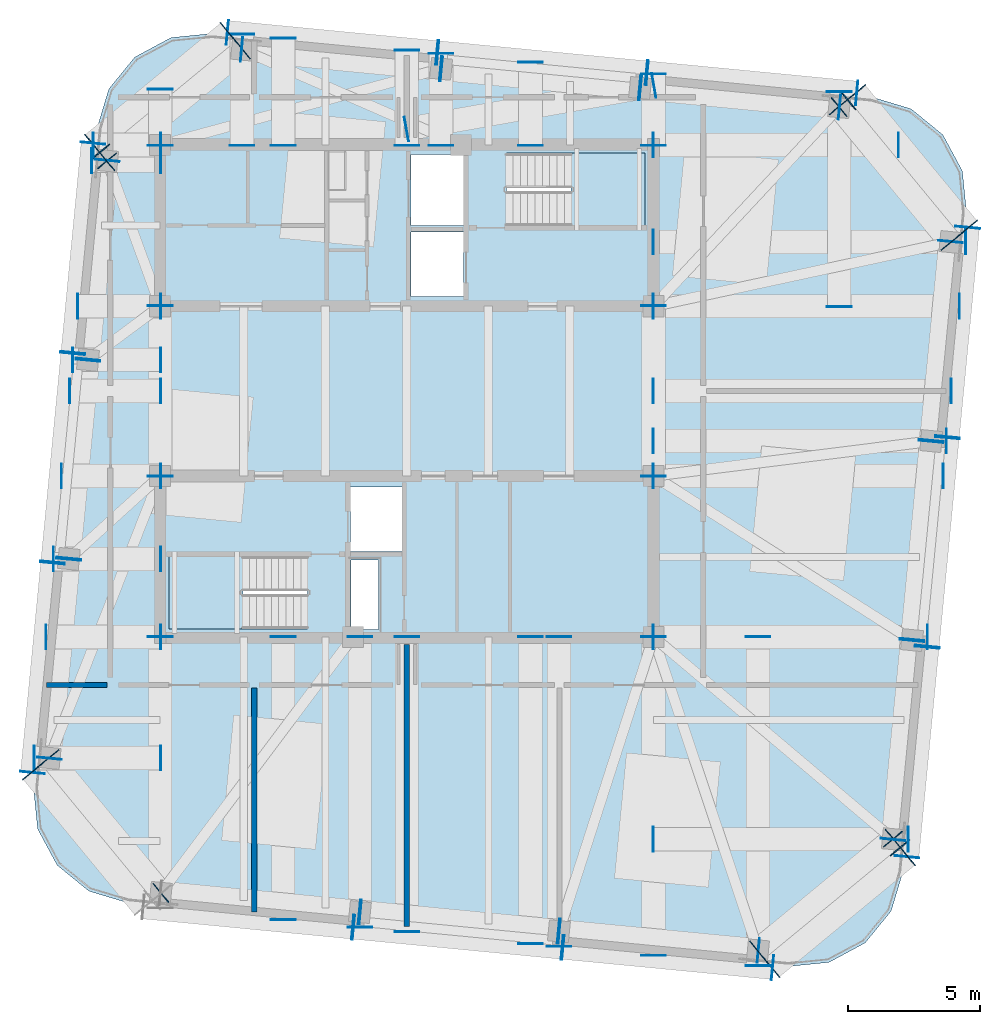
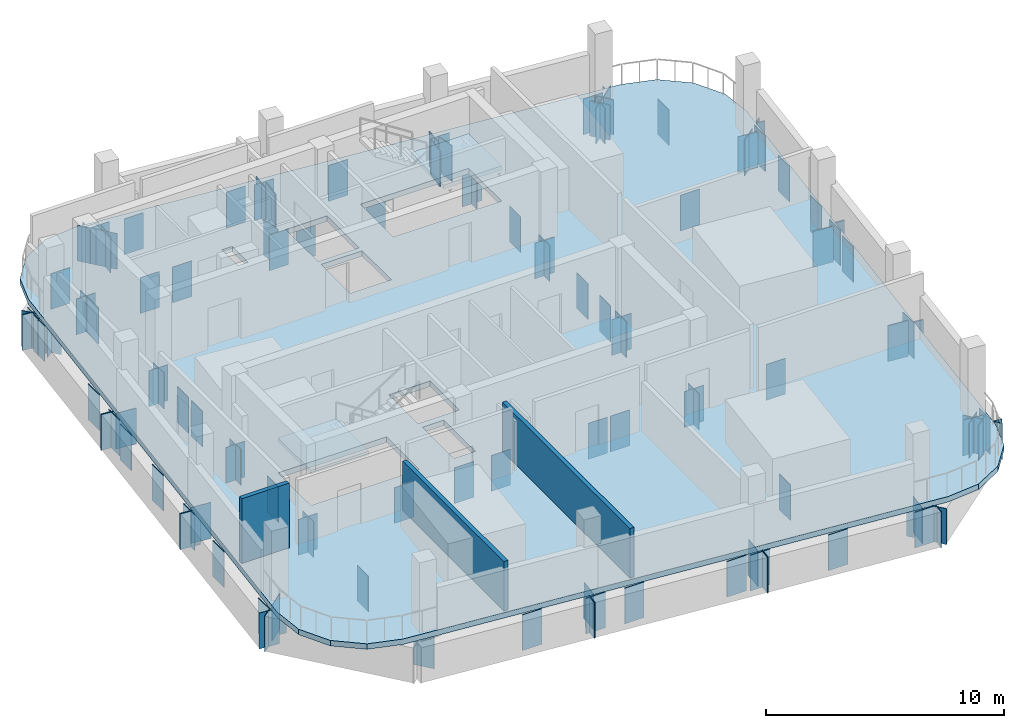
# One storey, part 3 of 10: 138 plates, 3 slabs, 3 walls, 2 elements without a shape of their own.
"""IFC4 building model written with IfcOpenShell, lengths in metres."""

from ifc_helpers import new_model, si_unit, direction, frame, frame_2d, origin, origin_2d, place, context, subcontext, project, spatial, polyline, rectangle, outline, extrude, material, layer, layer_set, type_object, element, aggregate, save


model = new_model("IFC4")

# Units and contexts
model_context = context("Model", 3, precision=1e-05, world=origin(), true_north=direction((0.0, 1.0)))
body_context = subcontext(model_context, "Body", "Model", "MODEL_VIEW")
ifc_project = project(units=[si_unit("LENGTHUNIT", "METRE"), si_unit("AREAUNIT", "SQUARE_METRE"), si_unit("VOLUMEUNIT", "CUBIC_METRE"), si_unit("PLANEANGLEUNIT", "RADIAN"), si_unit("MASSUNIT", "GRAM", prefix="KILO")], contexts=[model_context])

# Site, building, storey
site_placement = place(None, origin())
site = spatial("IfcSite", under=ifc_project, at=site_placement, CompositionType="ELEMENT")
building_placement = place(site_placement, origin())
building = spatial("IfcBuilding", under=site, at=building_placement, Name="Qhalaya Broadcast Tower", CompositionType="ELEMENT")
storey_placement = place(building_placement, frame((0.0, 0.0, 289.25)))
storey = spatial("IfcBuildingStorey", under=building, at=storey_placement, Name="L85", CompositionType="ELEMENT", Elevation=289.25)

# Plates
ifc_material_1 = material(Name="Structural Steel ASTM A572 Grade 50", Category="steel")
ifc_layer_1 = layer(ifc_material_1, 0.4599609375, Name="Structural Steel ASTM A572 Grade 50")
ifc_layer_set_1 = layer_set([ifc_layer_1], Name="Structural Steel ASTM A572 Grade 50")
plate_type_1 = type_object("IfcPlateType", Name="Hollow Box Member End Cap Plate CP-01", PredefinedType="USERDEFINED", material=ifc_layer_set_1)
for number, where, z_axis, x_axis, name in (
    (1, (-1.769775390625, -19.203125, -2.10009765625), (0.0, 0.0, 1.0), (0.095863125447, 0.995394525392, 0.0), "L85 Hollow Girder End Cap L85-SPR-01-B"),
    (2, (-1.801513671875, -19.2001953125, -2.10009765625), (0.0, 0.0, 1.0), (0.09584575252, 0.995396198367, 0.0), "L85 Hollow Girder End Cap L85-SPR-02-A"),
    (3, (5.79541015625, -19.931640625, -2.10009765625), (0.0, 0.0, 1.0), (0.09584575252, 0.995396198367, 0.0), "L85 Hollow Girder End Cap L85-SPR-02-B"),
    (4, (5.763427734375, -19.9287109375, -2.10009765625), (0.0, 0.0, 1.0), (0.09584575252, 0.995396198367, 0.0), "L85 Hollow Girder End Cap L85-SPR-03-A"),
    (5, (13.3603515625, -20.659912109375, -2.10009765625), (0.0, 0.0, 1.0), (0.09584575252, 0.995396198367, 0.0), "L85 Hollow Girder End Cap L85-SPR-03-B"),
    (6, (13.33203125, -20.668701171875, -2.10009765625), (0.0, 0.0, 1.0), (-0.636078220278, 0.771624583388, 0.0), "L85 Hollow Girder End Cap L85-SPR-04-A"),
    (7, (18.485595703125, -16.42041015625, -2.10009765625), (0.0, 0.0, 1.0), (-0.636078220278, 0.771624583388, 0.0), "L85 Hollow Girder End Cap L85-SPR-04-B"),
    (8, (18.4716796875, -16.446533203125, -2.10009765625), (0.0, 0.0, 1.0), (-0.995394525392, 0.095863125447, 0.0), "L85 Hollow Girder End Cap L85-SPR-05-A"),
    (9, (19.203125, -8.849609375, -2.10009765625), (0.0, 0.0, 1.0), (-0.995394525392, 0.095863125447, 0.0), "L85 Hollow Girder End Cap L85-SPR-05-B"),
    (10, (19.2001953125, -8.881591796875, -2.10009765625), (0.0, 0.0, 1.0), (-0.995396198367, 0.09584575252, 0.0), "L85 Hollow Girder End Cap L85-SPR-06-A"),
    (11, (19.931640625, -1.28466796875, -2.10009765625), (0.0, 0.0, 1.0), (-0.995396198367, 0.09584575252, 0.0), "L85 Hollow Girder End Cap L85-SPR-06-B"),
    (12, (19.9287109375, -1.31640625, -2.10009765625), (0.0, 0.0, 1.0), (-0.995396198367, 0.09584575252, 0.0), "L85 Hollow Girder End Cap L85-SPR-07-A"),
    (13, (20.659912109375, 6.2802734375, -2.10009765625), (0.0, 0.0, 1.0), (-0.995396198367, 0.09584575252, 0.0), "L85 Hollow Girder End Cap L85-SPR-07-B"),
    (14, (20.668701171875, 6.252197265625, -2.10009765625), (0.0, 0.0, 1.0), (-0.771624583388, -0.636078220278, 0.0), "L85 Hollow Girder End Cap L85-SPR-08-A"),
    (15, (16.42041015625, 11.405517578125, -2.10009765625), (0.0, 0.0, 1.0), (-0.771624583388, -0.636078220278, 0.0), "L85 Hollow Girder End Cap L85-SPR-08-B"),
    (16, (16.446533203125, 11.3916015625, -2.10009765625), (0.0, 0.0, 1.0), (-0.095863125447, -0.995394525392, 0.0), "L85 Hollow Girder End Cap L85-SPR-09-A"),
    (17, (8.849609375, 12.123291015625, -2.10009765625), (0.0, 0.0, 1.0), (-0.095863125447, -0.995394525392, 0.0), "L85 Hollow Girder End Cap L85-SPR-09-B"),
    (18, (8.881591796875, 12.1201171875, -2.10009765625), (0.0, 0.0, 1.0), (-0.09584575252, -0.995396198367, 0.0), "L85 Hollow Girder End Cap L85-SPR-10-A"),
    (19, (1.28466796875, 12.8515625, -2.10009765625), (0.0, 0.0, 1.0), (-0.09584575252, -0.995396198367, 0.0), "L85 Hollow Girder End Cap L85-SPR-10-B"),
    (20, (1.31640625, 12.8486328125, -2.10009765625), (0.0, 0.0, 1.0), (-0.09584575252, -0.995396198367, 0.0), "L85 Hollow Girder End Cap L85-SPR-11-A"),
    (21, (-6.2802734375, 13.580078125, -2.10009765625), (0.0, 0.0, 1.0), (-0.09584575252, -0.995396198367, 0.0), "L85 Hollow Girder End Cap L85-SPR-11-B"),
    (22, (-6.252197265625, 13.588623046875, -2.10009765625), (0.0, 0.0, 1.0), (0.636078220278, -0.771624583388, 0.0), "L85 Hollow Girder End Cap L85-SPR-12-A"),
    (23, (-11.405517578125, 9.34033203125, -2.10009765625), (0.0, 0.0, 1.0), (0.636078220278, -0.771624583388, 0.0), "L85 Hollow Girder End Cap L85-SPR-12-B"),
    (24, (-11.3916015625, 9.366455078125, -2.10009765625), (0.0, 0.0, 1.0), (0.995394525392, -0.095863125447, 0.0), "L85 Hollow Girder End Cap L85-SPR-13-A"),
    (25, (-12.123291015625, 1.769775390625, -2.10009765625), (0.0, 0.0, 1.0), (0.995394525392, -0.095863125447, 0.0), "L85 Hollow Girder End Cap L85-SPR-13-B"),
    (26, (-12.1201171875, 1.801513671875, -2.10009765625), (0.0, 0.0, 1.0), (0.995396198367, -0.09584575252, 0.0), "L85 Hollow Girder End Cap L85-SPR-14-A"),
    (27, (-12.8515625, -5.79541015625, -2.10009765625), (0.0, 0.0, 1.0), (0.995396198367, -0.09584575252, 0.0), "L85 Hollow Girder End Cap L85-SPR-14-B"),
    (28, (-12.8486328125, -5.763427734375, -2.10009765625), (0.0, 0.0, 1.0), (0.995396198367, -0.09584575252, 0.0), "L85 Hollow Girder End Cap L85-SPR-15-A"),
    (29, (-13.580078125, -13.3603515625, -2.10009765625), (0.0, 0.0, 1.0), (0.995396198367, -0.09584575252, 0.0), "L85 Hollow Girder End Cap L85-SPR-15-B"),
    (30, (-13.588623046875, -13.33203125, -2.10009765625), (0.0, 0.0, 1.0), (0.771624583388, 0.636078220278, 0.0), "L85 Hollow Girder End Cap L85-SPR-16-A"),
    (31, (-2.0263671875, -19.78125, -2.10009765625), (0.0, 0.0, 1.0), (0.09584575252, 0.995396198367, 0.0), "L85 Hollow Girder End Cap L85-TGL-01-B"),
    (32, (-2.05810546875, -19.7783203125, -2.10009765625), (0.0, 0.0, 1.0), (0.09584575252, 0.995396198367, 0.0), "L85 Hollow Girder End Cap L85-TGL-02-A"),
    (33, (5.93701171875, -20.548095703125, -2.10009765625), (0.0, 0.0, 1.0), (0.09584575252, 0.995396198367, 0.0), "L85 Hollow Girder End Cap L85-TGL-02-B"),
    (34, (5.905029296875, -20.544921875, -2.10009765625), (0.0, 0.0, 1.0), (0.09584575252, 0.995396198367, 0.0), "L85 Hollow Girder End Cap L85-TGL-03-A"),
    (35, (13.89990234375, -21.314697265625, -2.10009765625), (0.0, 0.0, 1.0), (0.09584575252, 0.995396198367, 0.0), "L85 Hollow Girder End Cap L85-TGL-03-B"),
    (36, (13.871826171875, -21.323486328125, -2.10009765625), (0.0, 0.0, 1.0), (-0.636078220278, 0.771624583388, 0.0), "L85 Hollow Girder End Cap L85-TGL-04-A"),
    (37, (19.025390625, -17.0751953125, -2.10009765625), (0.0, 0.0, 1.0), (-0.636078220278, 0.771624583388, 0.0), "L85 Hollow Girder End Cap L85-TGL-04-B"),
    (38, (19.011474609375, -17.101318359375, -2.10009765625), (0.0, 0.0, 1.0), (-0.995396198367, 0.09584575252, 0.0), "L85 Hollow Girder End Cap L85-TGL-05-A"),
    (39, (19.78125, -9.106201171875, -2.10009765625), (0.0, 0.0, 1.0), (-0.995396198367, 0.09584575252, 0.0), "L85 Hollow Girder End Cap L85-TGL-05-B"),
    (40, (19.7783203125, -9.13818359375, -2.10009765625), (0.0, 0.0, 1.0), (-0.995396198367, 0.09584575252, 0.0), "L85 Hollow Girder End Cap L85-TGL-06-A"),
    (41, (20.548095703125, -1.14306640625, -2.10009765625), (0.0, 0.0, 1.0), (-0.995396198367, 0.09584575252, 0.0), "L85 Hollow Girder End Cap L85-TGL-06-B"),
    (42, (20.544921875, -1.1748046875, -2.10009765625), (0.0, 0.0, 1.0), (-0.995396198367, 0.09584575252, 0.0), "L85 Hollow Girder End Cap L85-TGL-07-A"),
    (43, (21.314697265625, 6.820068359375, -2.10009765625), (0.0, 0.0, 1.0), (-0.995396198367, 0.09584575252, 0.0), "L85 Hollow Girder End Cap L85-TGL-07-B"),
    (44, (21.323486328125, 6.791748046875, -2.10009765625), (0.0, 0.0, 1.0), (-0.771624583388, -0.636078220278, 0.0), "L85 Hollow Girder End Cap L85-TGL-08-A"),
    (45, (17.0751953125, 11.9453125, -2.10009765625), (0.0, 0.0, 1.0), (-0.771624583388, -0.636078220278, 0.0), "L85 Hollow Girder End Cap L85-TGL-08-B"),
    (46, (17.101318359375, 11.931396484375, -2.10009765625), (0.0, 0.0, 1.0), (-0.09584575252, -0.995396198367, 0.0), "L85 Hollow Girder End Cap L85-TGL-09-A"),
    (47, (9.106201171875, 12.701171875, -2.10009765625), (0.0, 0.0, 1.0), (-0.09584575252, -0.995396198367, 0.0), "L85 Hollow Girder End Cap L85-TGL-09-B"),
    (48, (9.13818359375, 12.6982421875, -2.10009765625), (0.0, 0.0, 1.0), (-0.09584575252, -0.995396198367, 0.0), "L85 Hollow Girder End Cap L85-TGL-10-A"),
    (49, (1.14306640625, 13.468017578125, -2.10009765625), (0.0, 0.0, 1.0), (-0.09584575252, -0.995396198367, 0.0), "L85 Hollow Girder End Cap L85-TGL-10-B"),
    (50, (1.1748046875, 13.465087890625, -2.10009765625), (0.0, 0.0, 1.0), (-0.09584575252, -0.995396198367, 0.0), "L85 Hollow Girder End Cap L85-TGL-11-A"),
    (51, (-6.820068359375, 14.23486328125, -2.10009765625), (0.0, 0.0, 1.0), (-0.09584575252, -0.995396198367, 0.0), "L85 Hollow Girder End Cap L85-TGL-11-B"),
    (52, (-6.791748046875, 14.243408203125, -2.10009765625), (0.0, 0.0, 1.0), (0.636078220278, -0.771624583388, 0.0), "L85 Hollow Girder End Cap L85-TGL-12-A"),
    (53, (-11.9453125, 9.9951171875, -2.10009765625), (0.0, 0.0, 1.0), (0.636078220278, -0.771624583388, 0.0), "L85 Hollow Girder End Cap L85-TGL-12-B"),
    (54, (-11.931396484375, 10.021240234375, -2.10009765625), (0.0, 0.0, 1.0), (0.995396198367, -0.09584575252, 0.0), "L85 Hollow Girder End Cap L85-TGL-13-A"),
    (55, (-12.701171875, 2.0263671875, -2.10009765625), (0.0, 0.0, 1.0), (0.995396198367, -0.09584575252, 0.0), "L85 Hollow Girder End Cap L85-TGL-13-B"),
    (56, (-12.6982421875, 2.05810546875, -2.10009765625), (0.0, 0.0, 1.0), (0.995396198367, -0.09584575252, 0.0), "L85 Hollow Girder End Cap L85-TGL-14-A"),
    (57, (-13.468017578125, -5.93701171875, -2.10009765625), (0.0, 0.0, 1.0), (0.995396198367, -0.09584575252, 0.0), "L85 Hollow Girder End Cap L85-TGL-14-B"),
    (58, (-13.465087890625, -5.905029296875, -2.10009765625), (0.0, 0.0, 1.0), (0.995396198367, -0.09584575252, 0.0), "L85 Hollow Girder End Cap L85-TGL-15-A"),
    (59, (-14.23486328125, -13.89990234375, -2.10009765625), (0.0, 0.0, 1.0), (0.995396198367, -0.09584575252, 0.0), "L85 Hollow Girder End Cap L85-TGL-15-B"),
    (60, (-14.243408203125, -13.871826171875, -2.10009765625), (0.0, 0.0, 1.0), (0.771624583388, 0.636078220278, 0.0), "L85 Hollow Girder End Cap L85-TGL-16-A"),
    (61, (-9.375, 9.93408203125, -2.10009765625), (0.0, 0.0, 1.0), (-1.0, 0.0, 0.0), "L85 Hollow Girder End Cap L85-TGINW-1-A"),
    (62, (-9.375, 12.078125, -2.10009765625), (0.0, 0.0, 1.0), (-1.0, 0.0, 0.0), "L85 Hollow Girder End Cap L85-TGINW-1-B"),
    (63, (9.375, 9.93408203125, -2.10009765625), (0.0, 0.0, 1.0), (-1.0, 0.0, 0.0), "L85 Hollow Girder End Cap L85-TGINE-1-A"),
    (64, (9.375, 12.651123046875, -2.10009765625), (0.0, 0.0, 1.0), (-1.0, 0.0, 0.0), "L85 Hollow Girder End Cap L85-TGINE-1-B"),
    (65, (0.0, 9.93408203125, -2.10009765625), (0.0, 0.0, 1.0), (-1.0, 0.0, 0.0), "L85 Hollow Girder End Cap L85-TGIMN-1-A"),
    (66, (0.0, 13.553955078125, -2.10009765625), (0.0, 0.0, 1.0), (-1.0, 0.0, 0.0), "L85 Hollow Girder End Cap L85-TGIMN-1-B"),
    (67, (0.0, -19.9521484375, -2.10009765625), (0.0, 0.0, 1.0), (-1.0, 0.0, 0.0), "L85 Hollow Girder End Cap L85-TGIMS-1-A"),
    (68, (0.0, -8.73388671875, -2.10009765625), (0.0, 0.0, 1.0), (-1.0, 0.0, 0.0), "L85 Hollow Girder End Cap L85-TGIMS-1-B"),
    (69, (-4.699951171875, 9.93408203125, -2.10009765625), (0.0, 0.0, 1.0), (-1.0, 0.0, 0.0), "L85 Hollow Girder End Cap L85-TGIMNW-1-A"),
    (70, (-4.699951171875, 14.006591796875, -2.10009765625), (0.0, 0.0, 1.0), (-1.0, 0.0, 0.0), "L85 Hollow Girder End Cap L85-TGIMNW-1-B"),
    (71, (-4.699951171875, -19.49951171875, -2.10009765625), (0.0, 0.0, 1.0), (-1.0, 0.0, 0.0), "L85 Hollow Girder End Cap L85-TGIMSW-1-A"),
    (72, (-4.699951171875, -8.73388671875, -2.10009765625), (0.0, 0.0, 1.0), (-1.0, 0.0, 0.0), "L85 Hollow Girder End Cap L85-TGIMSW-1-B"),
    (73, (4.699951171875, -20.40478515625, -2.10009765625), (0.0, 0.0, 1.0), (-1.0, 0.0, 0.0), "L85 Hollow Girder End Cap L85-TGIMSE-1-A"),
    (74, (4.699951171875, -8.73388671875, -2.10009765625), (0.0, 0.0, 1.0), (-1.0, 0.0, 0.0), "L85 Hollow Girder End Cap L85-TGIMSE-1-B"),
    (75, (-12.814453125, 0.60009765625, -2.10009765625), (0.0, 0.0, 1.0), (0.0, 1.0, 0.0), "L85 Hollow Girder End Cap L85-TGIYW-1-A"),
    (76, (-9.35888671875, 0.60009765625, -2.10009765625), (0.0, 0.0, 1.0), (0.0, 1.0, 0.0), "L85 Hollow Girder End Cap L85-TGIYW-1-B"),
    (77, (9.35888671875, 0.60009765625, -2.10009765625), (0.0, 0.0, 1.0), (0.0, 1.0, 0.0), "L85 Hollow Girder End Cap L85-TGIYE-1-A"),
    (78, (20.691650390625, 0.60009765625, -2.10009765625), (0.0, 0.0, 1.0), (0.0, 1.0, 0.0), "L85 Hollow Girder End Cap L85-TGIYE-1-B"),
    (79, (-9.375, -8.73388671875, -2.10009765625), (0.0, 0.0, 1.0), (-1.0, 0.0, 0.0), "L85 Hollow Girder End Cap L85-TGISW-1-B"),
    (80, (9.375, -20.85498046875, -2.10009765625), (0.0, 0.0, 1.0), (-1.0, 0.0, 0.0), "L85 Hollow Girder End Cap L85-TGISE-1-A"),
    (81, (9.375, -8.73388671875, -2.10009765625), (0.0, 0.0, 1.0), (-1.0, 0.0, 0.0), "L85 Hollow Girder End Cap L85-TGISE-1-B"),
    (82, (-9.375, -2.64111328125, -2.10009765625), (0.0, 0.0, 1.0), (-1.0, 0.0, 0.0), "L85 Hollow Girder End Cap L85-TGIMW-1-A"),
    (83, (-9.375, 3.841064453125, -2.10009765625), (0.0, 0.0, 1.0), (-1.0, 0.0, 0.0), "L85 Hollow Girder End Cap L85-TGIMW-1-B"),
    (84, (9.375, -2.64111328125, -2.10009765625), (0.0, 0.0, 1.0), (-1.0, 0.0, 0.0), "L85 Hollow Girder End Cap L85-TGIME-1-A"),
    (85, (9.375, 3.841064453125, -2.10009765625), (0.0, 0.0, 1.0), (-1.0, 0.0, 0.0), "L85 Hollow Girder End Cap L85-TGIME-1-B"),
    (86, (-13.714599609375, -8.75, -2.10009765625), (0.0, 0.0, 1.0), (0.0, 1.0, 0.0), "L85 Hollow Girder End Cap L85-TGIY1W-1-A"),
    (87, (-9.35888671875, -8.75, -2.10009765625), (0.0, 0.0, 1.0), (0.0, 1.0, 0.0), "L85 Hollow Girder End Cap L85-TGIY1W-1-B"),
    (88, (9.35888671875, -8.75, -2.10009765625), (0.0, 0.0, 1.0), (0.0, 1.0, 0.0), "L85 Hollow Girder End Cap L85-TGIY1E-1-A"),
    (89, (19.79150390625, -8.75, -2.10009765625), (0.0, 0.0, 1.0), (0.0, 1.0, 0.0), "L85 Hollow Girder End Cap L85-TGIY1E-1-B"),
    (90, (-13.125, -2.625, -2.10009765625), (0.0, 0.0, 1.0), (0.0, 1.0, 0.0), "L85 Hollow Girder End Cap L85-TGIY2W-1-A"),
    (91, (-9.35888671875, -2.625, -2.10009765625), (0.0, 0.0, 1.0), (0.0, 1.0, 0.0), "L85 Hollow Girder End Cap L85-TGIY2W-1-B"),
    (92, (9.35888671875, -2.625, -2.10009765625), (0.0, 0.0, 1.0), (0.0, 1.0, 0.0), "L85 Hollow Girder End Cap L85-TGIY2E-1-A"),
    (93, (20.381103515625, -2.625, -2.10009765625), (0.0, 0.0, 1.0), (0.0, 1.0, 0.0), "L85 Hollow Girder End Cap L85-TGIY2E-1-B"),
    (94, (-12.50390625, 3.824951171875, -2.10009765625), (0.0, 0.0, 1.0), (0.0, 1.0, 0.0), "L85 Hollow Girder End Cap L85-TGIY3W-1-A"),
    (95, (-9.35888671875, 3.824951171875, -2.10009765625), (0.0, 0.0, 1.0), (0.0, 1.0, 0.0), "L85 Hollow Girder End Cap L85-TGIY3W-1-B"),
    (96, (9.35888671875, 3.824951171875, -2.10009765625), (0.0, 0.0, 1.0), (0.0, 1.0, 0.0), "L85 Hollow Girder End Cap L85-TGIY3E-1-A"),
    (97, (21.002197265625, 3.824951171875, -2.10009765625), (0.0, 0.0, 1.0), (0.0, 1.0, 0.0), "L85 Hollow Girder End Cap L85-TGIY3E-1-B"),
    (98, (-11.9140625, 9.949951171875, -2.10009765625), (0.0, 0.0, 1.0), (0.0, 1.0, 0.0), "L85 Hollow Girder End Cap L85-TGIY4W-1-A"),
    (99, (-9.35888671875, 9.949951171875, -2.10009765625), (0.0, 0.0, 1.0), (0.0, 1.0, 0.0), "L85 Hollow Girder End Cap L85-TGIY4W-1-B"),
    (100, (9.35888671875, 9.949951171875, -2.10009765625), (0.0, 0.0, 1.0), (0.0, 1.0, 0.0), "L85 Hollow Girder End Cap L85-TGIY4E-1-A"),
    (101, (18.68408203125, 9.949951171875, -2.10009765625), (0.0, 0.0, 1.0), (0.0, 1.0, 0.0), "L85 Hollow Girder End Cap L85-TGIY4E-1-B"),
):
    element("IfcPlate", number, at=place(storey_placement, frame(where, z_axis=z_axis, x_axis=x_axis)), inside=storey, type_object=plate_type_1, Name=name, ObjectType="COVER_PLATE", PredefinedType="USERDEFINED", context=body_context, shape_type="SweptSolid", body=[
        extrude(rectangle(XDim=0.93994140625, YDim=0.031982421875, at=origin_2d()), origin(), (0.0, 0.0, 1.0), 1.840087890625),
    ])
plate_1_placement = place(storey_placement, frame((-9.3505859375, -18.47314453125, -2.080078125), z_axis=(0.0, 0.0, 1.0), x_axis=(-0.63609168757, 0.771613481611, 0.0)))
element("IfcPlate", 102, at=plate_1_placement, inside=storey, type_object=plate_type_1, Name="L85 Transfer Box End Cap 01", ObjectType="COVER_PLATE", PredefinedType="USERDEFINED", context=body_context, shape_type="SweptSolid", body=[
    extrude(rectangle(XDim=0.919921875, YDim=0.035888671875, at=origin_2d()), origin(), (0.0, 0.0, 1.0), 1.800048828125),
])
for number, where, z_axis, x_axis, name in (
    (103, (-1.78564453125, -19.7802734375, -2.10009765625), (0.0, 0.0, 1.0), (-1.0, 0.0, 0.0), "L85 Hollow Girder End Cap L85-TGC-02-A"),
    (104, (-1.78564453125, -8.73388671875, -2.10009765625), (0.0, 0.0, 1.0), (-1.0, 0.0, 0.0), "L85 Hollow Girder End Cap L85-TGC-02-B"),
    (105, (5.779296875, -20.5087890625, -2.10009765625), (0.0, 0.0, 1.0), (-1.0, 0.0, 0.0), "L85 Hollow Girder End Cap L85-TGC-03-A"),
    (106, (5.779296875, -8.73388671875, -2.10009765625), (0.0, 0.0, 1.0), (-1.0, 0.0, 0.0), "L85 Hollow Girder End Cap L85-TGC-03-B"),
    (107, (13.344482421875, -21.237060546875, -2.10009765625), (0.0, 0.0, 1.0), (-1.0, 0.0, 0.0), "L85 Hollow Girder End Cap L85-TGC-04-A"),
    (108, (13.344482421875, -8.73388671875, -2.10009765625), (0.0, 0.0, 1.0), (-1.0, 0.0, 0.0), "L85 Hollow Girder End Cap L85-TGC-04-B"),
    (109, (9.35888671875, -16.4306640625, -2.10009765625), (0.0, 0.0, 1.0), (0.0, 1.0, 0.0), "L85 Hollow Girder End Cap L85-TGC-05-A"),
    (110, (19.052001953125, -16.4306640625, -2.10009765625), (0.0, 0.0, 1.0), (0.0, 1.0, 0.0), "L85 Hollow Girder End Cap L85-TGC-05-B"),
):
    element("IfcPlate", number, at=place(storey_placement, frame(where, z_axis=z_axis, x_axis=x_axis)), inside=storey, type_object=plate_type_1, Name=name, ObjectType="COVER_PLATE", PredefinedType="USERDEFINED", context=body_context, shape_type="SweptSolid", body=[
        extrude(rectangle(XDim=0.93994140625, YDim=0.031982421875, at=origin_2d()), origin(), (0.0, 0.0, 1.0), 1.840087890625),
    ])
plate_2_placement = place(storey_placement, frame((18.47314453125, -16.4306640625, -2.080078125), z_axis=(0.0, 0.0, 1.0), x_axis=(-0.771613481611, -0.63609168757, 0.0)))
element("IfcPlate", 111, at=plate_2_placement, inside=storey, type_object=plate_type_1, Name="L85 Transfer Box End Cap 05", ObjectType="COVER_PLATE", PredefinedType="USERDEFINED", context=body_context, shape_type="SweptSolid", body=[
    extrude(rectangle(XDim=0.919921875, YDim=0.035888671875, at=origin_2d()), origin(), (0.0, 0.0, 1.0), 1.800048828125),
])
for number, where, z_axis, x_axis, name in (
    (112, (9.35888671875, -1.300537109375, -2.10009765625), (0.0, 0.0, 1.0), (0.0, 1.0, 0.0), "L85 Hollow Girder End Cap L85-TGC-07-A"),
    (113, (20.5087890625, -1.300537109375, -2.10009765625), (0.0, 0.0, 1.0), (0.0, 1.0, 0.0), "L85 Hollow Girder End Cap L85-TGC-07-B"),
    (114, (9.35888671875, 6.264404296875, -2.10009765625), (0.0, 0.0, 1.0), (0.0, 1.0, 0.0), "L85 Hollow Girder End Cap L85-TGC-08-A"),
    (115, (21.237060546875, 6.264404296875, -2.10009765625), (0.0, 0.0, 1.0), (0.0, 1.0, 0.0), "L85 Hollow Girder End Cap L85-TGC-08-B"),
    (116, (16.4306640625, 3.80908203125, -2.10009765625), (0.0, 0.0, 1.0), (-1.0, 0.0, 0.0), "L85 Hollow Girder End Cap L85-TGC-09-A"),
    (117, (16.4306640625, 11.971923828125, -2.10009765625), (0.0, 0.0, 1.0), (-1.0, 0.0, 0.0), "L85 Hollow Girder End Cap L85-TGC-09-B"),
):
    element("IfcPlate", number, at=place(storey_placement, frame(where, z_axis=z_axis, x_axis=x_axis)), inside=storey, type_object=plate_type_1, Name=name, ObjectType="COVER_PLATE", PredefinedType="USERDEFINED", context=body_context, shape_type="SweptSolid", body=[
        extrude(rectangle(XDim=0.93994140625, YDim=0.031982421875, at=origin_2d()), origin(), (0.0, 0.0, 1.0), 1.840087890625),
    ])
plate_3_placement = place(storey_placement, frame((16.4306640625, 11.393310546875, -2.080078125), z_axis=(0.0, 0.0, 1.0), x_axis=(0.63609168757, -0.771613481611, 0.0)))
element("IfcPlate", 118, at=plate_3_placement, inside=storey, type_object=plate_type_1, Name="L85 Transfer Box End Cap 09", ObjectType="COVER_PLATE", PredefinedType="USERDEFINED", context=body_context, shape_type="SweptSolid", body=[
    extrude(rectangle(XDim=0.919921875, YDim=0.035888671875, at=origin_2d()), origin(), (0.0, 0.0, 1.0), 1.800048828125),
])
for number, where, z_axis, x_axis, name in (
    (119, (-0.015869140625, 10.5556640625, -2.10009765625), (0.0, 0.0, 1.0), (-0.173648177667, 0.984807753012, 0.0), "L85 Hollow Girder End Cap L85-TGC-10-A"),
    (120, (9.390869140625, 12.21435546875, -2.10009765625), (0.0, 0.0, 1.0), (-0.173648177667, 0.984807753012, 0.0), "L85 Hollow Girder End Cap L85-TGC-10-B"),
    (121, (1.300537109375, 9.93408203125, -2.10009765625), (0.0, 0.0, 1.0), (-1.0, 0.0, 0.0), "L85 Hollow Girder End Cap L85-TGC-11-A"),
    (122, (1.300537109375, 13.4287109375, -2.10009765625), (0.0, 0.0, 1.0), (-1.0, 0.0, 0.0), "L85 Hollow Girder End Cap L85-TGC-11-B"),
    (123, (-6.264404296875, 9.93408203125, -2.10009765625), (0.0, 0.0, 1.0), (-1.0, 0.0, 0.0), "L85 Hollow Girder End Cap L85-TGC-12-A"),
    (124, (-6.264404296875, 14.156982421875, -2.10009765625), (0.0, 0.0, 1.0), (-1.0, 0.0, 0.0), "L85 Hollow Girder End Cap L85-TGC-12-B"),
    (125, (-11.971923828125, 9.3505859375, -2.10009765625), (0.0, 0.0, 1.0), (0.0, 1.0, 0.0), "L85 Hollow Girder End Cap L85-TGC-13-A"),
    (126, (-9.35888671875, 9.3505859375, -2.10009765625), (0.0, 0.0, 1.0), (0.0, 1.0, 0.0), "L85 Hollow Girder End Cap L85-TGC-13-B"),
):
    element("IfcPlate", number, at=place(storey_placement, frame(where, z_axis=z_axis, x_axis=x_axis)), inside=storey, type_object=plate_type_1, Name=name, ObjectType="COVER_PLATE", PredefinedType="USERDEFINED", context=body_context, shape_type="SweptSolid", body=[
        extrude(rectangle(XDim=0.93994140625, YDim=0.031982421875, at=origin_2d()), origin(), (0.0, 0.0, 1.0), 1.840087890625),
    ])
plate_4_placement = place(storey_placement, frame((-11.393310546875, 9.3505859375, -2.080078125), z_axis=(0.0, 0.0, 1.0), x_axis=(0.771613481611, 0.63609168757, 0.0)))
element("IfcPlate", 127, at=plate_4_placement, inside=storey, type_object=plate_type_1, Name="L85 Transfer Box End Cap 13", ObjectType="COVER_PLATE", PredefinedType="USERDEFINED", context=body_context, shape_type="SweptSolid", body=[
    extrude(rectangle(XDim=0.919921875, YDim=0.035888671875, at=origin_2d()), origin(), (0.0, 0.0, 1.0), 1.800048828125),
])
for number, where, z_axis, x_axis, name in (
    (128, (-12.7001953125, 1.78564453125, -2.10009765625), (0.0, 0.0, 1.0), (0.0, 1.0, 0.0), "L85 Hollow Girder End Cap L85-TGC-14-A"),
    (129, (-9.35888671875, 1.78564453125, -2.10009765625), (0.0, 0.0, 1.0), (0.0, 1.0, 0.0), "L85 Hollow Girder End Cap L85-TGC-14-B"),
    (130, (-13.4287109375, -5.779296875, -2.10009765625), (0.0, 0.0, 1.0), (0.0, 1.0, 0.0), "L85 Hollow Girder End Cap L85-TGC-15-A"),
    (131, (-9.35888671875, -5.779296875, -2.10009765625), (0.0, 0.0, 1.0), (0.0, 1.0, 0.0), "L85 Hollow Girder End Cap L85-TGC-15-B"),
    (132, (-14.156982421875, -13.344482421875, -2.10009765625), (0.0, 0.0, 1.0), (0.0, 1.0, 0.0), "L85 Hollow Girder End Cap L85-TGC-16-A"),
    (133, (-9.35888671875, -13.344482421875, -2.10009765625), (0.0, 0.0, 1.0), (0.0, 1.0, 0.0), "L85 Hollow Girder End Cap L85-TGC-16-B"),
    (134, (4.699951171875, 9.93408203125, -2.10009765625), (0.0, 0.0, 1.0), (-1.0, 0.0, 0.0), "L85 Hollow Girder End Cap L85-TGIMNE-1-A"),
    (135, (4.699951171875, 13.101318359375, -2.10009765625), (0.0, 0.0, 1.0), (-1.0, 0.0, 0.0), "L85 Hollow Girder End Cap L85-TGIMNE-1-B"),
):
    element("IfcPlate", number, at=place(storey_placement, frame(where, z_axis=z_axis, x_axis=x_axis)), inside=storey, type_object=plate_type_1, Name=name, ObjectType="COVER_PLATE", PredefinedType="USERDEFINED", context=body_context, shape_type="SweptSolid", body=[
        extrude(rectangle(XDim=0.93994140625, YDim=0.031982421875, at=origin_2d()), origin(), (0.0, 0.0, 1.0), 1.840087890625),
    ])

# Slab
ifc_material_2 = material(Name="Concrete C40/50", Category="concrete")
ifc_layer_2 = layer(ifc_material_2, 0.280029296875, Name="Concrete C40/50")
ifc_layer_set_2 = layer_set([ifc_layer_2], Name="Concrete C40/50")
slab_type_1 = type_object("IfcSlabType", Name="Plant & Refuge Heavy Duty Floor Slab 280", PredefinedType="FLOOR", material=ifc_layer_set_2)
slab_1_placement = place(storey_placement, frame((0.0, 0.0, -0.280029296875)))
element("IfcSlab", 136, at=slab_1_placement, inside=storey, type_object=slab_type_1, Name="L85 Main Structural Floor Slab", PredefinedType="FLOOR", context=body_context, shape_type="SweptSolid", body=[
    extrude(outline(polyline([(14.490966796875, -21.271240234375), (16.043701171875, -21.114990234375), (17.418701171875, -20.376220703125), (18.406005859375, -19.16748046875), (18.85595703125, -17.673095703125), (21.271240234375, 7.410888671875), (21.114990234375, 8.9638671875), (20.376220703125, 10.338623046875), (19.16748046875, 11.326171875), (17.673095703125, 11.77587890625), (-7.410888671875, 14.191162109375), (-8.9638671875, 14.034912109375), (-10.338623046875, 13.296142578125), (-11.326171875, 12.08740234375), (-11.77587890625, 10.593017578125), (-14.191162109375, -14.490966796875), (-14.034912109375, -16.043701171875), (-13.296142578125, -17.418701171875), (-12.08740234375, -18.406005859375), (-10.593017578125, -18.85595703125), (14.490966796875, -21.271240234375)]), holes=[polyline([(3.784912109375, 9.639892578125), (9.050048828125, 9.639892578125), (9.050048828125, 6.8798828125), (3.784912109375, 6.8798828125), (3.784912109375, 9.639892578125)]), polyline([(-3.784912109375, -8.43994140625), (-9.050048828125, -8.43994140625), (-9.050048828125, -5.679931640625), (-3.784912109375, -5.679931640625), (-3.784912109375, -8.43994140625)]), polyline([(0.14990234375, 6.64990234375), (2.14990234375, 6.64990234375), (2.14990234375, 4.199951171875), (0.14990234375, 4.199951171875), (0.14990234375, 6.64990234375)]), polyline([(0.14990234375, 9.60009765625), (2.14990234375, 9.60009765625), (2.14990234375, 6.89990234375), (0.14990234375, 6.89990234375), (0.14990234375, 9.60009765625)]), polyline([(-2.14990234375, -3.050048828125), (-0.14990234375, -3.050048828125), (-0.14990234375, -5.5), (-2.14990234375, -5.5), (-2.14990234375, -3.050048828125)]), polyline([(-2.919921875, 9.659912109375), (-2.419921875, 9.659912109375), (-2.419921875, 8.320068359375), (-2.919921875, 8.320068359375), (-2.919921875, 9.659912109375)]), polyline([(-2.1201171875, -5.820068359375), (-1.080078125, -5.820068359375), (-1.080078125, -8.4599609375), (-2.1201171875, -8.4599609375), (-2.1201171875, -5.820068359375)])]), origin(), (0.0, 0.0, 1.0), 0.280029296875),
])

# Stair, slab
stair_type = type_object("IfcStairType", Name="Protected Dogleg Core Stair 3600", PredefinedType="TWO_STRAIGHT_RUN_STAIR", material=ifc_material_2)
stair_1_placement = place(storey_placement, origin())
stair_1 = element("IfcStair", 137, at=stair_1_placement, inside=storey, type_object=stair_type, Name="L85 North Core Exit Stair ST-1", PredefinedType="TWO_STRAIGHT_RUN_STAIR")
ifc_layer_3 = layer(ifc_material_2, 0.199951171875, Name="Concrete C40/50")
ifc_layer_set_3 = layer_set([ifc_layer_3], Name="Concrete C40/50")
slab_type_2 = type_object("IfcSlabType", Name="Stair & Ramp Half-Landing Slab 200", PredefinedType="LANDING", material=ifc_layer_set_3)
slab_2_placement = place(storey_placement, frame((0.0, 0.0, 1.60009765625)))
slab_2 = element("IfcSlab", 138, at=slab_2_placement, type_object=slab_type_2, Name="ST-1 landing 1", PredefinedType="LANDING", context=body_context, shape_type="SweptSolid", body=[
    extrude(outline(polyline([(6.235107421875, 6.8798828125), (9.050048828125, 6.8798828125), (9.050048828125, 9.639892578125), (6.235107421875, 9.639892578125), (6.235107421875, 6.8798828125)])), origin(), (0.0, 0.0, 1.0), 0.199951171875),
])
aggregate(stair_1, [slab_2])

stair_2_placement = place(storey_placement, origin())
stair_2 = element("IfcStair", 139, at=stair_2_placement, inside=storey, type_object=stair_type, Name="L85 South Core Exit Stair ST-2", PredefinedType="TWO_STRAIGHT_RUN_STAIR")
slab_3_placement = place(storey_placement, frame((0.0, 0.0, 1.60009765625)))
slab_3 = element("IfcSlab", 140, at=slab_3_placement, type_object=slab_type_2, Name="ST-2 landing 1", PredefinedType="LANDING", context=body_context, shape_type="SweptSolid", body=[
    extrude(outline(polyline([(-6.235107421875, -5.679931640625), (-9.050048828125, -5.679931640625), (-9.050048828125, -8.43994140625), (-6.235107421875, -8.43994140625), (-6.235107421875, -5.679931640625)])), origin(), (0.0, 0.0, 1.0), 0.199951171875),
])
aggregate(stair_2, [slab_3])

# Plates
ifc_layer_4 = layer(ifc_material_1, 0.044921875, Name="Structural Steel ASTM A572 Grade 50")
ifc_layer_set_4 = layer_set([ifc_layer_4], Name="Structural Steel ASTM A572 Grade 50")
plate_type_2 = type_object("IfcPlateType", Name="Transfer Girder Web Stiffener Plate WS-01", PredefinedType="USERDEFINED", material=ifc_layer_set_4)
for number, where, z_axis, x_axis, name in (
    (141, (18.7431640625, -16.758056640625, -2.080078125), (0.0, 0.0, 1.0), (-0.771613481611, -0.63609168757, 0.0), "L85 Transfer Girder Stiffener 05"),
    (142, (16.758056640625, 11.6630859375, -2.080078125), (0.0, 0.0, 1.0), (0.63609168757, -0.771613481611, 0.0), "L85 Transfer Girder Stiffener 09"),
    (143, (-11.6630859375, 9.677978515625, -2.080078125), (0.0, 0.0, 1.0), (0.771613481611, 0.63609168757, 0.0), "L85 Transfer Girder Stiffener 13"),
):
    element("IfcPlate", number, at=place(storey_placement, frame(where, z_axis=z_axis, x_axis=x_axis)), inside=storey, type_object=plate_type_2, Name=name, ObjectType="STIFFENER_PLATE", PredefinedType="USERDEFINED", context=body_context, shape_type="SweptSolid", body=[
        extrude(rectangle(XDim=0.93994140625, YDim=0.044921875, at=origin_2d()), origin(), (0.0, 0.0, 1.0), 1.800048828125),
    ])

# Walls
ifc_material_3 = material(Name="Gypsum Acoustic Partition")
ifc_layer_5 = layer(ifc_material_3, 0.199951171875, Name="Gypsum Acoustic Partition")
ifc_layer_set_5 = layer_set([ifc_layer_5], Name="Gypsum Acoustic Partition")
wall_type = type_object("IfcWallType", Name="Firefighting Lobby & Stair Enclosure Wall 200", PredefinedType="PARTITIONING", material=ifc_layer_set_5)
wall_1_placement = place(storey_placement, frame((0.0, -19.75537109375, 0.0), z_axis=(0.0, 0.0, 1.0), x_axis=(0.0, 1.0, 0.0)))
element("IfcWall", 144, at=wall_1_placement, inside=storey, type_object=wall_type, Name="L85 Partition Wall W-OBS", PredefinedType="PARTITIONING", context=body_context, shape_type="SweptSolid", body=[
    extrude(rectangle(XDim=10.71533203125, YDim=0.199951171875, at=frame_2d((5.357666015625, 0.0))), origin(), (0.0, 0.0, 1.0), 2.5380859375),
])
wall_2_placement = place(storey_placement, frame((-5.800048828125, -19.197021484375, 0.0), z_axis=(0.0, 0.0, 1.0), x_axis=(0.0, 1.0, 0.0)))
element("IfcWall", 145, at=wall_2_placement, inside=storey, type_object=wall_type, Name="L85 Partition Wall W-PDS1", PredefinedType="PARTITIONING", context=body_context, shape_type="SweptSolid", body=[
    extrude(rectangle(XDim=8.507080078125, YDim=0.199951171875, at=frame_2d((4.25341796875, 0.0))), origin(), (0.0, 0.0, 1.0), 2.5380859375),
])
wall_3_placement = place(storey_placement, frame((-13.693115234375, -10.570068359375, 0.0), z_axis=(0.0, 0.0, 1.0), x_axis=(1.0, 0.0, 0.0)))
element("IfcWall", 146, at=wall_3_placement, inside=storey, type_object=wall_type, Name="L85 Partition Wall W-PBSW", PredefinedType="PARTITIONING", context=body_context, shape_type="SweptSolid", body=[
    extrude(rectangle(XDim=2.30322265625, YDim=0.199951171875, at=frame_2d((1.151611328125, 0.0))), origin(), (0.0, 0.0, 1.0), 3.320068359375),
])

save(model, "model.ifc")
